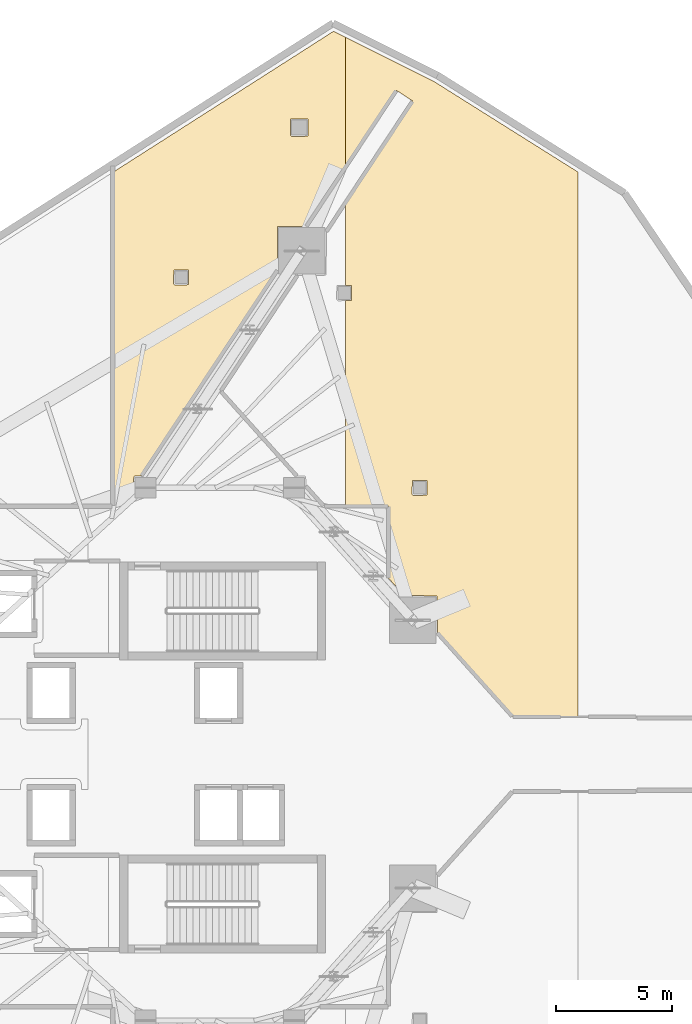
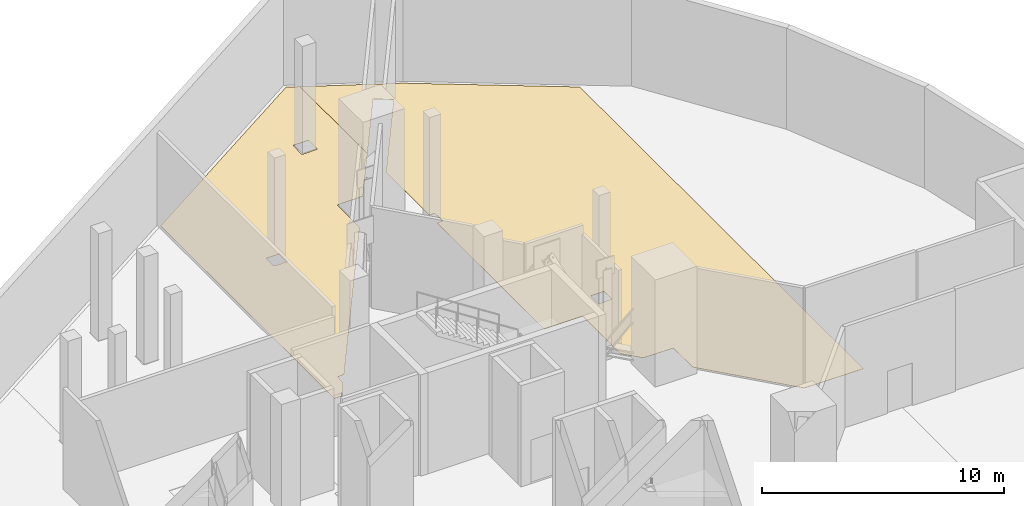
# One storey, part 13 of 13: 2 coverings.
"""IFC4 building model written with IfcOpenShell, lengths in metres."""

from ifc_helpers import new_model, si_unit, direction, frame, origin, place, context, subcontext, project, spatial, polyline, outline, extrude, material, layer, layer_set, type_object, element, save


model = new_model("IFC4")

# Units and contexts
model_context = context("Model", 3, precision=1e-05, world=origin(), true_north=direction((0.0, 1.0)))
body_context = subcontext(model_context, "Body", "Model", "MODEL_VIEW")
ifc_project = project(units=[si_unit("LENGTHUNIT", "METRE"), si_unit("AREAUNIT", "SQUARE_METRE"), si_unit("VOLUMEUNIT", "CUBIC_METRE"), si_unit("PLANEANGLEUNIT", "RADIAN"), si_unit("MASSUNIT", "GRAM", prefix="KILO")], contexts=[model_context])

# Site, building, storey
site_placement = place(None, origin())
site = spatial("IfcSite", under=ifc_project, at=site_placement, CompositionType="ELEMENT")
building_placement = place(site_placement, origin())
building = spatial("IfcBuilding", under=site, at=building_placement, Name="Qorvath Tower", CompositionType="ELEMENT")
storey_placement = place(building_placement, frame((0.0, 0.0, 174.60009765625)))
storey = spatial("IfcBuildingStorey", under=building, at=storey_placement, Name="L40", CompositionType="ELEMENT", Elevation=174.60009765625)

# Coverings
ifc_material = material(Name="Low-VOC modular carpet tile", Category="textile")
ifc_layer = layer(ifc_material, 0.014892578125)
ifc_layer_set = layer_set([ifc_layer], Name="COV-FLOOR-CPT")
covering_type = type_object("IfcCoveringType", Name="COV-FLOOR-CPT", PredefinedType="FLOORING", material=ifc_layer_set)
covering_1_placement = place(storey_placement, origin())
element("IfcCovering", 1, at=covering_1_placement, inside=storey, type_object=covering_type, Name="L40 Floor Finish 009", PredefinedType="FLOORING", context=body_context, shape_type="SweptSolid", body=[
    extrude(outline(polyline([(-14.990966796875, 25.242431640625), (-14.990966796875, 30.8125), (-15.5078125, 31.07080078125), (-24.987060546875, 25.012451171875), (-24.987060546875, 10.6630859375), (-24.629638671875, 10.6630859375), (-24.110107421875, 11.448974609375), (-24.092529296875, 11.9423828125), (-23.7724609375, 11.9599609375), (-17.931640625, 20.79443359375), (-17.9140625, 22.66943359375), (-16.680419921875, 22.68701171875), (-14.990966796875, 25.242431640625)]), holes=[polyline([(-17.3662109375, 26.604248046875), (-17.3486328125, 27.296630859375), (-16.61376953125, 27.296630859375), (-16.61376953125, 26.561767578125), (-17.30615234375, 26.544189453125), (-17.3662109375, 26.604248046875)]), polyline([(-22.38818359375, 20.219970703125), (-22.37060546875, 20.812255859375), (-21.73583984375, 20.812255859375), (-21.73583984375, 20.177490234375), (-22.328125, 20.159912109375), (-22.38818359375, 20.219970703125)])]), origin(), (0.0, 0.0, 1.0), 0.014892578125),
])
covering_2_placement = place(storey_placement, origin())
element("IfcCovering", 2, at=covering_2_placement, inside=storey, type_object=covering_type, Name="L40 Floor Finish 011", PredefinedType="FLOORING", context=body_context, shape_type="SweptSolid", body=[
    extrude(outline(polyline([(-4.994873046875, 1.59619140625), (-4.994873046875, 25.01611328125), (-11.187255859375, 28.91064453125), (-14.990966796875, 30.8125), (-14.990966796875, 25.242431640625), (-12.814208984375, 28.53515625), (-12.1064453125, 28.0732421875), (-14.990966796875, 23.703369140625), (-14.990966796875, 20.135498046875), (-14.728759765625, 20.135498046875), (-14.728759765625, 19.500732421875), (-14.990966796875, 19.492919921875), (-14.990966796875, 10.66259765625), (-13.138427734375, 10.66162109375), (-13.136962890625, 7.5546875), (-12.476318359375, 6.81787109375), (-11.054443359375, 6.80029296875), (-11.036865234375, 5.212158203125), (-7.809814453125, 1.613037109375), (-4.994873046875, 1.59619140625)]), holes=[polyline([(-12.135009765625, 11.175048828125), (-12.117431640625, 11.767333984375), (-11.482666015625, 11.767333984375), (-11.482666015625, 11.132568359375), (-12.074951171875, 11.114990234375), (-12.135009765625, 11.175048828125)])]), origin(), (0.0, 0.0, 1.0), 0.014892578125),
])

save(model, "model.ifc")
